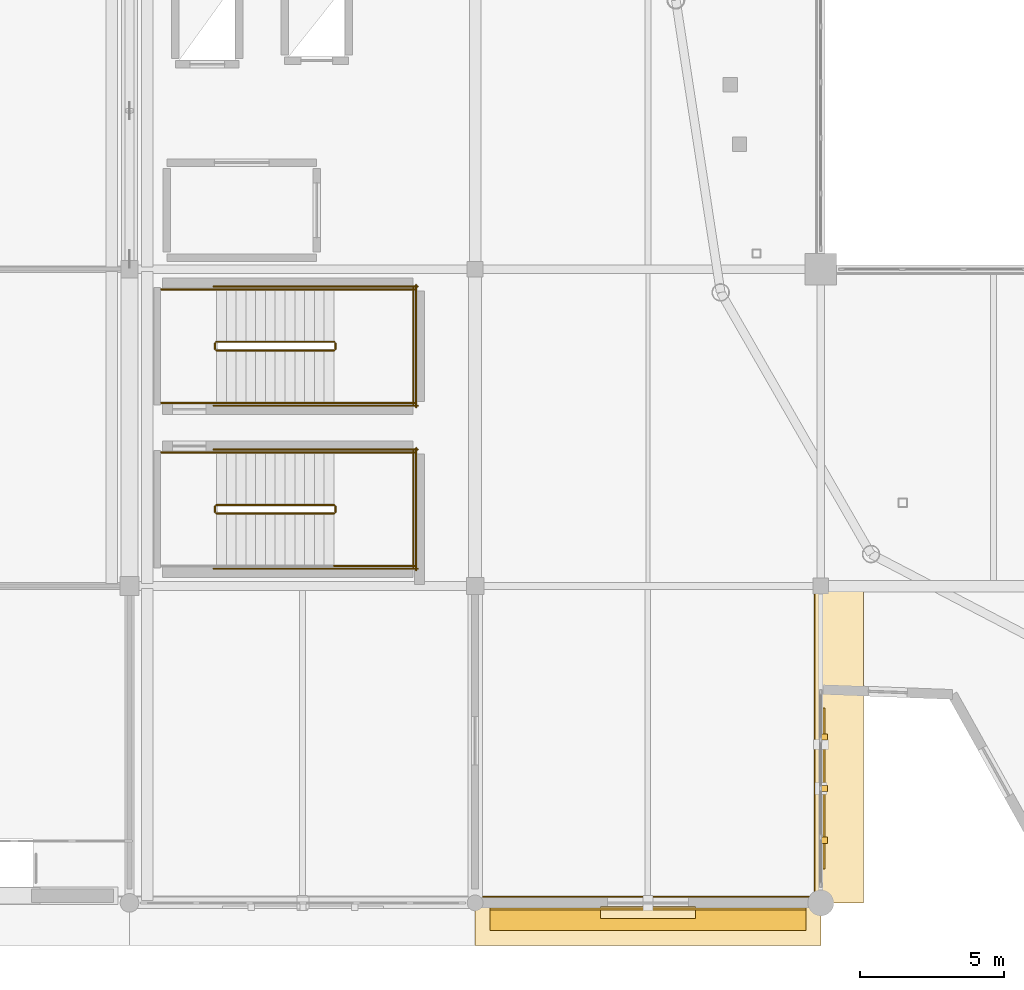
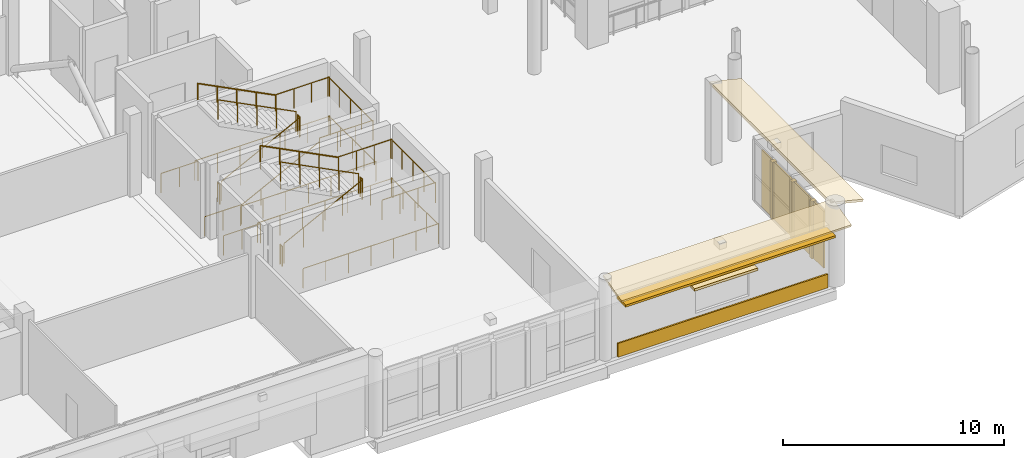
# One storey, part 98 of 118: 26 railings, 7 coverings, 2 shading devices.
"""IFC4 building model written with IfcOpenShell, lengths in metres."""

from ifc_helpers import new_model, si_unit, direction, frame, origin, origin_2d, place, context, subcontext, project, spatial, polyline, rectangle, circle, outline, extrude, material, layer, layer_set, type_object, element, save


model = new_model("IFC4")

# Units and contexts
model_context = context("Model", 3, precision=1e-05, world=origin(), true_north=direction((0.0, 1.0)))
body_context = subcontext(model_context, "Body", "Model", "MODEL_VIEW")
ifc_project = project(units=[si_unit("LENGTHUNIT", "METRE"), si_unit("AREAUNIT", "SQUARE_METRE"), si_unit("VOLUMEUNIT", "CUBIC_METRE"), si_unit("PLANEANGLEUNIT", "RADIAN"), si_unit("MASSUNIT", "GRAM", prefix="KILO")], contexts=[model_context])

# Site, building, storey
site_placement = place(None, origin())
site = spatial("IfcSite", under=ifc_project, at=site_placement, CompositionType="ELEMENT")
building_placement = place(site_placement, origin())
building = spatial("IfcBuilding", under=site, at=building_placement, Name="Luwafu Chhajja Arena", CompositionType="ELEMENT")
storey_placement = place(building_placement, frame((0.0, 0.0, 10.199951171875)))
storey = spatial("IfcBuildingStorey", under=building, at=storey_placement, Name="L02", CompositionType="ELEMENT", Elevation=10.199951171875)

# Coverings
ifc_material_1 = material(Name="Red laterite sandstone cladding", Category="masonry")
ifc_layer_1 = layer(ifc_material_1, 0.074951171875, Name="Red laterite sandstone cladding")
ifc_layer_set_1 = layer_set([ifc_layer_1], Name="Red laterite sandstone cladding")
covering_type = type_object("IfcCoveringType", Name="Dressed Red-Laterite Sandstone Cladding", PredefinedType="CLADDING", material=ifc_layer_set_1)
covering_1_placement = place(storey_placement, frame((46.0, 0.199951171875, 4.4599609375), z_axis=(0.0, -0.242502450825, 0.970150793096), x_axis=(1.0, 0.0, 0.0)))
element("IfcCovering", 1, at=covering_1_placement, inside=storey, type_object=covering_type, Name="L02 Continuous Sloped Sandstone Chhajja Eave 0152", PredefinedType="CLADDING", context=body_context, shape_type="SweptSolid", body=[
    extrude(outline(polyline([(0.0, 0.0), (12.0, 0.0), (12.0, -1.731619097341133), (0.0, -1.731619097341133), (0.0, 0.0)])), origin(), (0.0, 0.0, -1.0), 0.1298828125),
])
covering_2_placement = place(storey_placement, frame((52.0, -0.2119140625, 0.0), z_axis=(0.0, 0.0, 1.0), x_axis=(1.0, 0.0, 0.0)))
element("IfcCovering", 2, at=covering_2_placement, inside=storey, type_object=covering_type, Name="L02 Red-Laterite Sandstone Plinth Cladding 056", PredefinedType="CLADDING", context=body_context, shape_type="SweptSolid", body=[
    extrude(rectangle(XDim=10.9599609375, YDim=0.0849609375, at=origin_2d()), origin(), (0.0, 0.0, 1.0), 0.760009765625),
])
covering_3_placement = place(storey_placement, frame((52.0, -0.340087890625, 2.47998046875), z_axis=(0.0, 0.0, 1.0), x_axis=(1.0, 0.0, 0.0)))
element("IfcCovering", 3, at=covering_3_placement, inside=storey, type_object=covering_type, Name="L02 Mughal Sandstone Window Chhajja Hood 0054", PredefinedType="CLADDING", context=body_context, shape_type="SweptSolid", body=[
    extrude(rectangle(XDim=3.300048828125, YDim=0.419921875, at=origin_2d()), origin(), (0.0, 0.0, 1.0), 0.139892578125),
])
covering_4_placement = place(storey_placement, frame((57.800048828125, 0.0, 4.4599609375), z_axis=(0.242502450825, 0.0, 0.970150793096), x_axis=(0.0, 1.0, 0.0)))
element("IfcCovering", 4, at=covering_4_placement, inside=storey, type_object=covering_type, Name="L02 Continuous Sloped Sandstone Chhajja Eave 0153", PredefinedType="CLADDING", context=body_context, shape_type="SweptSolid", body=[
    extrude(outline(polyline([(0.0, 0.0), (11.0, 0.0), (11.0, -1.731619097341133), (0.0, -1.731619097341133), (0.0, 0.0)])), origin(), (0.0, 0.0, -1.0), 0.1298828125),
])
for number, where, z_axis, x_axis, name in (
    (5, (58.110107421875, 2.177001953125, 0.0), (0.0, 0.0, 1.0), (0.0, 1.0, 0.0), "L02 Sandstone Jali Mullion Fin 037"),
    (6, (58.110107421875, 3.968994140625, 0.0), (0.0, 0.0, 1.0), (0.0, 1.0, 0.0), "L02 Sandstone Jali Mullion Fin 037"),
    (7, (58.110107421875, 5.760986328125, 0.0), (0.0, 0.0, 1.0), (0.0, 1.0, 0.0), "L02 Sandstone Jali Mullion Fin 037"),
):
    element("IfcCovering", number, at=place(storey_placement, frame(where, z_axis=z_axis, x_axis=x_axis)), inside=storey, type_object=covering_type, Name=name, PredefinedType="CLADDING", context=body_context, shape_type="SweptSolid", body=[
        extrude(rectangle(XDim=0.219970703125, YDim=0.239990234375, at=origin_2d()), origin(), (0.0, 0.0, 1.0), 3.155029296875),
    ])

# Shading devices
ifc_material_2 = material(Name="Pierced buff sandstone jali", Category="masonry")
ifc_layer_2 = layer(ifc_material_2, 0.080078125, Name="Pierced buff sandstone jali")
ifc_layer_set_2 = layer_set([ifc_layer_2], Name="Pierced buff sandstone jali")
shading_device_type_1 = type_object("IfcShadingDeviceType", Name="Pierced Buff-Sandstone Jali Screen", PredefinedType="JALOUSIE", material=ifc_layer_set_2)
shading_device_1_placement = place(storey_placement, frame((58.110107421875, 3.968994140625, 0.0), z_axis=(0.0, 0.0, 1.0), x_axis=(0.0, 1.0, 0.0)))
element("IfcShadingDevice", 8, at=shading_device_1_placement, inside=storey, type_object=shading_device_type_1, Name="L02 Pierced Buff-Sandstone Jali Screen 037", PredefinedType="JALOUSIE", context=body_context, shape_type="SweptSolid", body=[
    extrude(rectangle(XDim=5.60009765625, YDim=0.080078125, at=origin_2d()), origin(), (0.0, 0.0, 1.0), 3.155029296875),
])
ifc_material_3 = material(Name="Red laterite sandstone chhajja", Category="masonry")
ifc_layer_3 = layer(ifc_material_3, 0.1201171875, Name="Red laterite sandstone chhajja")
ifc_layer_set_3 = layer_set([ifc_layer_3], Name="Red laterite sandstone chhajja")
shading_device_type_2 = type_object("IfcShadingDeviceType", Name="Sloped Red-Sandstone Chhajja Eave", PredefinedType="USERDEFINED", material=ifc_layer_set_3)
shading_device_2_placement = place(storey_placement, frame((52.0, -0.5400390625, 3.18505859375), z_axis=(0.0, 0.0, 1.0), x_axis=(1.0, 0.0, 0.0)))
element("IfcShadingDevice", 9, at=shading_device_2_placement, inside=storey, type_object=shading_device_type_2, Name="L02 Sloped Red-Sandstone Chhajja Eave 053", ObjectType="CHHAJJA", PredefinedType="USERDEFINED", context=body_context, shape_type="SweptSolid", body=[
    extrude(rectangle(XDim=10.9599609375, YDim=0.820068359375, at=origin_2d()), origin(), (0.0, 0.0, 1.0), 0.1201171875),
])

# Railings
ifc_material_4 = material(Name="Stainless steel handrail", Category="steel")
railing_type_1 = type_object("IfcRailingType", Name="Stair Pitch Wall Handrail 920", PredefinedType="HANDRAIL", material=ifc_material_4)
railing_1_placement = place(storey_placement, frame((41.10009765625, 15.639892578125, 2.423095703125)))
element("IfcRailing", 10, at=railing_1_placement, inside=storey, type_object=railing_type_1, Name="L02 ST-01 stair handrail 2", PredefinedType="HANDRAIL", context=body_context, shape_type="SweptSolid", body=[
    extrude(circle(Radius=0.02392578125, at=origin_2d()), frame((0.0, 0.0, 0.8759765625), z_axis=(-0.891183106714, 0.0, 0.453643770274), x_axis=(0.0, -1.0, 0.0)), (0.0, 0.0, 1.0), 4.578369140625),
    extrude(circle(Radius=0.02099609375, at=origin_2d()), origin(), (0.0, 0.0, 1.0), 0.851806640625),
    extrude(circle(Radius=0.02099609375, at=origin_2d()), frame((-1.02001953125, 0.0, 0.519287109375)), (0.0, 0.0, 1.0), 0.851806640625),
    extrude(circle(Radius=0.02099609375, at=origin_2d()), frame((-2.0400390625, 0.0, 1.03857421875)), (0.0, 0.0, 1.0), 0.851806640625),
    extrude(circle(Radius=0.02099609375, at=origin_2d()), frame((-3.06005859375, 0.0, 1.5576171875)), (0.0, 0.0, 1.0), 0.851806640625),
    extrude(circle(Radius=0.02099609375, at=origin_2d()), frame((-4.080078125, 0.0, 2.076904296875)), (0.0, 0.0, 1.0), 0.851806640625),
])
railing_2_placement = place(storey_placement, frame((37.02001953125, 17.360107421875, 0.173095703125)))
element("IfcRailing", 11, at=railing_2_placement, inside=storey, type_object=railing_type_1, Name="L02 ST-02 stair handrail 1", PredefinedType="HANDRAIL", context=body_context, shape_type="SweptSolid", body=[
    extrude(circle(Radius=0.02392578125, at=origin_2d()), frame((0.0, 0.0, 0.8759765625), z_axis=(0.891183106714, 0.0, 0.453643770274), x_axis=(0.0, 1.0, 0.0)), (0.0, 0.0, 1.0), 4.578369140625),
    extrude(circle(Radius=0.02099609375, at=origin_2d()), origin(), (0.0, 0.0, 1.0), 0.851806640625),
    extrude(circle(Radius=0.02099609375, at=origin_2d()), frame((1.02001953125, 0.0, 0.519287109375)), (0.0, 0.0, 1.0), 0.851806640625),
    extrude(circle(Radius=0.02099609375, at=origin_2d()), frame((2.0400390625, 0.0, 1.03857421875)), (0.0, 0.0, 1.0), 0.851806640625),
    extrude(circle(Radius=0.02099609375, at=origin_2d()), frame((3.06005859375, 0.0, 1.5576171875)), (0.0, 0.0, 1.0), 0.851806640625),
    extrude(circle(Radius=0.02099609375, at=origin_2d()), frame((4.080078125, 0.0, 2.076904296875)), (0.0, 0.0, 1.0), 0.851806640625),
])
railing_3_placement = place(storey_placement, frame((41.10009765625, 21.300048828125, 2.423095703125)))
element("IfcRailing", 12, at=railing_3_placement, inside=storey, type_object=railing_type_1, Name="L02 ST-02 stair handrail 2", PredefinedType="HANDRAIL", context=body_context, shape_type="SweptSolid", body=[
    extrude(circle(Radius=0.02392578125, at=origin_2d()), frame((0.0, 0.0, 0.8759765625), z_axis=(-0.891183106714, 0.0, 0.453643770274), x_axis=(0.0, -1.0, 0.0)), (0.0, 0.0, 1.0), 4.578369140625),
    extrude(circle(Radius=0.02099609375, at=origin_2d()), origin(), (0.0, 0.0, 1.0), 0.851806640625),
    extrude(circle(Radius=0.02099609375, at=origin_2d()), frame((-1.02001953125, 0.0, 0.519287109375)), (0.0, 0.0, 1.0), 0.851806640625),
    extrude(circle(Radius=0.02099609375, at=origin_2d()), frame((-2.0400390625, 0.0, 1.03857421875)), (0.0, 0.0, 1.0), 0.851806640625),
    extrude(circle(Radius=0.02099609375, at=origin_2d()), frame((-3.06005859375, 0.0, 1.5576171875)), (0.0, 0.0, 1.0), 0.851806640625),
    extrude(circle(Radius=0.02099609375, at=origin_2d()), frame((-4.080078125, 0.0, 2.076904296875)), (0.0, 0.0, 1.0), 0.851806640625),
])
ifc_material_5 = material(Name="Stainless steel balustrade", Category="steel")
railing_type_2 = type_object("IfcRailingType", Name="Stair and Terrace Guard Balustrade 1100", PredefinedType="BALUSTRADE", material=ifc_material_5)
railing_4_placement = place(storey_placement, frame((37.02001953125, 13.52001953125, 0.173095703125)))
element("IfcRailing", 13, at=railing_4_placement, inside=storey, type_object=railing_type_2, Name="L02 ST-01 stair guard 1", PredefinedType="BALUSTRADE", context=body_context, shape_type="SweptSolid", body=[
    extrude(circle(Radius=0.02392578125, at=origin_2d()), frame((0.0, 0.0, 1.076171875), z_axis=(0.891183106714, 0.0, 0.453643770274), x_axis=(0.0, 1.0, 0.0)), (0.0, 0.0, 1.0), 4.578369140625),
    extrude(circle(Radius=0.02099609375, at=origin_2d()), origin(), (0.0, 0.0, 1.0), 1.052001953125),
    extrude(circle(Radius=0.02099609375, at=origin_2d()), frame((1.02001953125, 0.0, 0.519287109375)), (0.0, 0.0, 1.0), 1.052001953125),
    extrude(circle(Radius=0.02099609375, at=origin_2d()), frame((2.0400390625, 0.0, 1.03857421875)), (0.0, 0.0, 1.0), 1.052001953125),
    extrude(circle(Radius=0.02099609375, at=origin_2d()), frame((3.06005859375, 0.0, 1.5576171875)), (0.0, 0.0, 1.0), 1.052001953125),
    extrude(circle(Radius=0.02099609375, at=origin_2d()), frame((4.080078125, 0.0, 2.076904296875)), (0.0, 0.0, 1.0), 1.052001953125),
])
railing_5_placement = place(storey_placement, frame((41.14990234375, 13.570068359375, 2.25)))
element("IfcRailing", 14, at=railing_5_placement, inside=storey, type_object=railing_type_2, Name="L02 ST-01 stair guard 2", PredefinedType="BALUSTRADE", context=body_context, shape_type="SweptSolid", body=[
    extrude(circle(Radius=0.02392578125, at=origin_2d()), frame((0.0, 0.0, 1.076171875), z_axis=(0.0, 1.0, 0.0), x_axis=(-1.0, 0.0, 0.0)), (0.0, 0.0, 1.0), 0.199951171875),
    extrude(circle(Radius=0.02099609375, at=origin_2d()), origin(), (0.0, 0.0, 1.0), 1.052001953125),
    extrude(circle(Radius=0.02099609375, at=origin_2d()), frame((0.0, 0.199951171875, 0.0)), (0.0, 0.0, 1.0), 1.052001953125),
])
for number, where, name in (
    (15, (41.10009765625, 11.699951171875, 2.25), "L02 ST-01 stair guard 3"),
    (16, (41.10009765625, 15.639892578125, 2.25), "L02 ST-01 stair guard 4"),
):
    element("IfcRailing", number, at=place(storey_placement, frame(where)), inside=storey, type_object=railing_type_2, Name=name, PredefinedType="BALUSTRADE", context=body_context, shape_type="SweptSolid", body=[
        extrude(circle(Radius=0.02392578125, at=origin_2d()), frame((0.0, 0.0, 1.076171875), z_axis=(1.0, 0.0, 0.0), x_axis=(0.0, 1.0, 0.0)), (0.0, 0.0, 1.0), 2.7998046875),
        extrude(circle(Radius=0.02099609375, at=origin_2d()), origin(), (0.0, 0.0, 1.0), 1.052001953125),
        extrude(circle(Radius=0.02099609375, at=origin_2d()), frame((0.933349609375, 0.0, 0.0)), (0.0, 0.0, 1.0), 1.052001953125),
        extrude(circle(Radius=0.02099609375, at=origin_2d()), frame((1.866455078125, 0.0, 0.0)), (0.0, 0.0, 1.0), 1.052001953125),
        extrude(circle(Radius=0.02099609375, at=origin_2d()), frame((2.7998046875, 0.0, 0.0)), (0.0, 0.0, 1.0), 1.052001953125),
    ])
railing_6_placement = place(storey_placement, frame((43.85009765625, 11.64990234375, 2.25)))
element("IfcRailing", 17, at=railing_6_placement, inside=storey, type_object=railing_type_2, Name="L02 ST-01 stair guard 5", PredefinedType="BALUSTRADE", context=body_context, shape_type="SweptSolid", body=[
    extrude(circle(Radius=0.02392578125, at=origin_2d()), frame((0.0, 0.0, 1.076171875), z_axis=(0.0, 1.0, 0.0), x_axis=(-1.0, 0.0, 0.0)), (0.0, 0.0, 1.0), 4.0400390625),
    extrude(circle(Radius=0.02099609375, at=origin_2d()), origin(), (0.0, 0.0, 1.0), 1.052001953125),
    extrude(circle(Radius=0.02099609375, at=origin_2d()), frame((0.0, 1.010009765625, 0.0)), (0.0, 0.0, 1.0), 1.052001953125),
    extrude(circle(Radius=0.02099609375, at=origin_2d()), frame((0.0, 2.02001953125, 0.0)), (0.0, 0.0, 1.0), 1.052001953125),
    extrude(circle(Radius=0.02099609375, at=origin_2d()), frame((0.0, 3.030029296875, 0.0)), (0.0, 0.0, 1.0), 1.052001953125),
    extrude(circle(Radius=0.02099609375, at=origin_2d()), frame((0.0, 4.0400390625, 0.0)), (0.0, 0.0, 1.0), 1.052001953125),
])
railing_7_placement = place(storey_placement, frame((41.10009765625, 13.820068359375, 2.423095703125)))
element("IfcRailing", 18, at=railing_7_placement, inside=storey, type_object=railing_type_2, Name="L02 ST-01 stair guard 6", PredefinedType="BALUSTRADE", context=body_context, shape_type="SweptSolid", body=[
    extrude(circle(Radius=0.02392578125, at=origin_2d()), frame((0.0, 0.0, 1.076171875), z_axis=(-0.891183106714, 0.0, 0.453643770274), x_axis=(0.0, -1.0, 0.0)), (0.0, 0.0, 1.0), 4.578369140625),
    extrude(circle(Radius=0.02099609375, at=origin_2d()), origin(), (0.0, 0.0, 1.0), 1.052001953125),
    extrude(circle(Radius=0.02099609375, at=origin_2d()), frame((-1.02001953125, 0.0, 0.519287109375)), (0.0, 0.0, 1.0), 1.052001953125),
    extrude(circle(Radius=0.02099609375, at=origin_2d()), frame((-2.0400390625, 0.0, 1.03857421875)), (0.0, 0.0, 1.0), 1.052001953125),
    extrude(circle(Radius=0.02099609375, at=origin_2d()), frame((-3.06005859375, 0.0, 1.5576171875)), (0.0, 0.0, 1.0), 1.052001953125),
    extrude(circle(Radius=0.02099609375, at=origin_2d()), frame((-4.080078125, 0.0, 2.076904296875)), (0.0, 0.0, 1.0), 1.052001953125),
])
railing_8_placement = place(storey_placement, frame((36.969970703125, 13.570068359375, 0.0)))
element("IfcRailing", 19, at=railing_8_placement, inside=storey, type_object=railing_type_2, Name="L02 ST-01 stair guard 7", PredefinedType="BALUSTRADE", context=body_context, shape_type="SweptSolid", body=[
    extrude(circle(Radius=0.02392578125, at=origin_2d()), frame((0.0, 0.0, 1.076171875), z_axis=(0.0, 1.0, 0.0), x_axis=(-1.0, 0.0, 0.0)), (0.0, 0.0, 1.0), 0.199951171875),
    extrude(circle(Radius=0.02099609375, at=origin_2d()), origin(), (0.0, 0.0, 1.0), 1.052001953125),
    extrude(circle(Radius=0.02099609375, at=origin_2d()), frame((0.0, 0.199951171875, 0.0)), (0.0, 0.0, 1.0), 1.052001953125),
])
railing_9_placement = place(storey_placement, frame((35.10009765625, 15.639892578125, 0.0)))
element("IfcRailing", 20, at=railing_9_placement, inside=storey, type_object=railing_type_2, Name="L02 ST-01 stair guard 9", PredefinedType="BALUSTRADE", context=body_context, shape_type="SweptSolid", body=[
    extrude(circle(Radius=0.02392578125, at=origin_2d()), frame((0.0, 0.0, 1.076171875), z_axis=(1.0, 0.0, 0.0), x_axis=(0.0, 1.0, 0.0)), (0.0, 0.0, 1.0), 1.919921875),
    extrude(circle(Radius=0.02099609375, at=origin_2d()), origin(), (0.0, 0.0, 1.0), 1.052001953125),
    extrude(circle(Radius=0.02099609375, at=origin_2d()), frame((0.9599609375, 0.0, 0.0)), (0.0, 0.0, 1.0), 1.052001953125),
    extrude(circle(Radius=0.02099609375, at=origin_2d()), frame((1.919921875, 0.0, 0.0)), (0.0, 0.0, 1.0), 1.052001953125),
])
for number, where, name in (
    (21, (36.919921875, 11.60009765625, 0.0), "L02 ST-01 stair guard 10"),
    (22, (36.919921875, 15.739990234375, 0.0), "L02 ST-01 stair guard 11"),
):
    element("IfcRailing", number, at=place(storey_placement, frame(where)), inside=storey, type_object=railing_type_2, Name=name, PredefinedType="BALUSTRADE", context=body_context, shape_type="SweptSolid", body=[
        extrude(circle(Radius=0.02392578125, at=origin_2d()), frame((0.0, 0.0, 1.076171875), z_axis=(1.0, 0.0, 0.0), x_axis=(0.0, 1.0, 0.0)), (0.0, 0.0, 1.0), 7.080078125),
        extrude(circle(Radius=0.02099609375, at=origin_2d()), origin(), (0.0, 0.0, 1.0), 1.052001953125),
        extrude(circle(Radius=0.02099609375, at=origin_2d()), frame((1.179931640625, 0.0, 0.0)), (0.0, 0.0, 1.0), 1.052001953125),
        extrude(circle(Radius=0.02099609375, at=origin_2d()), frame((2.360107421875, 0.0, 0.0)), (0.0, 0.0, 1.0), 1.052001953125),
        extrude(circle(Radius=0.02099609375, at=origin_2d()), frame((3.5400390625, 0.0, 0.0)), (0.0, 0.0, 1.0), 1.052001953125),
        extrude(circle(Radius=0.02099609375, at=origin_2d()), frame((4.719970703125, 0.0, 0.0)), (0.0, 0.0, 1.0), 1.052001953125),
        extrude(circle(Radius=0.02099609375, at=origin_2d()), frame((5.900146484375, 0.0, 0.0)), (0.0, 0.0, 1.0), 1.052001953125),
        extrude(circle(Radius=0.02099609375, at=origin_2d()), frame((7.080078125, 0.0, 0.0)), (0.0, 0.0, 1.0), 1.052001953125),
    ])
railing_10_placement = place(storey_placement, frame((43.949951171875, 11.550048828125, 0.0)))
element("IfcRailing", 23, at=railing_10_placement, inside=storey, type_object=railing_type_2, Name="L02 ST-01 stair guard 12", PredefinedType="BALUSTRADE", context=body_context, shape_type="SweptSolid", body=[
    extrude(circle(Radius=0.02392578125, at=origin_2d()), frame((0.0, 0.0, 1.076171875), z_axis=(0.0, 1.0, 0.0), x_axis=(-1.0, 0.0, 0.0)), (0.0, 0.0, 1.0), 4.239990234375),
    extrude(circle(Radius=0.02099609375, at=origin_2d()), origin(), (0.0, 0.0, 1.0), 1.052001953125),
    extrude(circle(Radius=0.02099609375, at=origin_2d()), frame((0.0, 1.06005859375, 0.0)), (0.0, 0.0, 1.0), 1.052001953125),
    extrude(circle(Radius=0.02099609375, at=origin_2d()), frame((0.0, 2.1201171875, 0.0)), (0.0, 0.0, 1.0), 1.052001953125),
    extrude(circle(Radius=0.02099609375, at=origin_2d()), frame((0.0, 3.179931640625, 0.0)), (0.0, 0.0, 1.0), 1.052001953125),
    extrude(circle(Radius=0.02099609375, at=origin_2d()), frame((0.0, 4.239990234375, 0.0)), (0.0, 0.0, 1.0), 1.052001953125),
])
railing_11_placement = place(storey_placement, frame((37.02001953125, 19.179931640625, 0.173095703125)))
element("IfcRailing", 24, at=railing_11_placement, inside=storey, type_object=railing_type_2, Name="L02 ST-02 stair guard 1", PredefinedType="BALUSTRADE", context=body_context, shape_type="SweptSolid", body=[
    extrude(circle(Radius=0.02392578125, at=origin_2d()), frame((0.0, 0.0, 1.076171875), z_axis=(0.891183106714, 0.0, 0.453643770274), x_axis=(0.0, 1.0, 0.0)), (0.0, 0.0, 1.0), 4.578369140625),
    extrude(circle(Radius=0.02099609375, at=origin_2d()), origin(), (0.0, 0.0, 1.0), 1.052001953125),
    extrude(circle(Radius=0.02099609375, at=origin_2d()), frame((1.02001953125, 0.0, 0.519287109375)), (0.0, 0.0, 1.0), 1.052001953125),
    extrude(circle(Radius=0.02099609375, at=origin_2d()), frame((2.0400390625, 0.0, 1.03857421875)), (0.0, 0.0, 1.0), 1.052001953125),
    extrude(circle(Radius=0.02099609375, at=origin_2d()), frame((3.06005859375, 0.0, 1.5576171875)), (0.0, 0.0, 1.0), 1.052001953125),
    extrude(circle(Radius=0.02099609375, at=origin_2d()), frame((4.080078125, 0.0, 2.076904296875)), (0.0, 0.0, 1.0), 1.052001953125),
])
railing_12_placement = place(storey_placement, frame((41.14990234375, 19.22998046875, 2.25)))
element("IfcRailing", 25, at=railing_12_placement, inside=storey, type_object=railing_type_2, Name="L02 ST-02 stair guard 2", PredefinedType="BALUSTRADE", context=body_context, shape_type="SweptSolid", body=[
    extrude(circle(Radius=0.02392578125, at=origin_2d()), frame((0.0, 0.0, 1.076171875), z_axis=(0.0, 1.0, 0.0), x_axis=(-1.0, 0.0, 0.0)), (0.0, 0.0, 1.0), 0.199951171875),
    extrude(circle(Radius=0.02099609375, at=origin_2d()), origin(), (0.0, 0.0, 1.0), 1.052001953125),
    extrude(circle(Radius=0.02099609375, at=origin_2d()), frame((0.0, 0.199951171875, 0.0)), (0.0, 0.0, 1.0), 1.052001953125),
])
for number, where, name in (
    (26, (41.10009765625, 17.360107421875, 2.25), "L02 ST-02 stair guard 3"),
    (27, (41.10009765625, 21.300048828125, 2.25), "L02 ST-02 stair guard 4"),
):
    element("IfcRailing", number, at=place(storey_placement, frame(where)), inside=storey, type_object=railing_type_2, Name=name, PredefinedType="BALUSTRADE", context=body_context, shape_type="SweptSolid", body=[
        extrude(circle(Radius=0.02392578125, at=origin_2d()), frame((0.0, 0.0, 1.076171875), z_axis=(1.0, 0.0, 0.0), x_axis=(0.0, 1.0, 0.0)), (0.0, 0.0, 1.0), 2.7998046875),
        extrude(circle(Radius=0.02099609375, at=origin_2d()), origin(), (0.0, 0.0, 1.0), 1.052001953125),
        extrude(circle(Radius=0.02099609375, at=origin_2d()), frame((0.933349609375, 0.0, 0.0)), (0.0, 0.0, 1.0), 1.052001953125),
        extrude(circle(Radius=0.02099609375, at=origin_2d()), frame((1.866455078125, 0.0, 0.0)), (0.0, 0.0, 1.0), 1.052001953125),
        extrude(circle(Radius=0.02099609375, at=origin_2d()), frame((2.7998046875, 0.0, 0.0)), (0.0, 0.0, 1.0), 1.052001953125),
    ])
railing_13_placement = place(storey_placement, frame((43.85009765625, 17.31005859375, 2.25)))
element("IfcRailing", 28, at=railing_13_placement, inside=storey, type_object=railing_type_2, Name="L02 ST-02 stair guard 5", PredefinedType="BALUSTRADE", context=body_context, shape_type="SweptSolid", body=[
    extrude(circle(Radius=0.02392578125, at=origin_2d()), frame((0.0, 0.0, 1.076171875), z_axis=(0.0, 1.0, 0.0), x_axis=(-1.0, 0.0, 0.0)), (0.0, 0.0, 1.0), 4.0400390625),
    extrude(circle(Radius=0.02099609375, at=origin_2d()), origin(), (0.0, 0.0, 1.0), 1.052001953125),
    extrude(circle(Radius=0.02099609375, at=origin_2d()), frame((0.0, 1.010009765625, 0.0)), (0.0, 0.0, 1.0), 1.052001953125),
    extrude(circle(Radius=0.02099609375, at=origin_2d()), frame((0.0, 2.02001953125, 0.0)), (0.0, 0.0, 1.0), 1.052001953125),
    extrude(circle(Radius=0.02099609375, at=origin_2d()), frame((0.0, 3.030029296875, 0.0)), (0.0, 0.0, 1.0), 1.052001953125),
    extrude(circle(Radius=0.02099609375, at=origin_2d()), frame((0.0, 4.0400390625, 0.0)), (0.0, 0.0, 1.0), 1.052001953125),
])
railing_14_placement = place(storey_placement, frame((41.10009765625, 19.47998046875, 2.423095703125)))
element("IfcRailing", 29, at=railing_14_placement, inside=storey, type_object=railing_type_2, Name="L02 ST-02 stair guard 6", PredefinedType="BALUSTRADE", context=body_context, shape_type="SweptSolid", body=[
    extrude(circle(Radius=0.02392578125, at=origin_2d()), frame((0.0, 0.0, 1.076171875), z_axis=(-0.891183106714, 0.0, 0.453643770274), x_axis=(0.0, -1.0, 0.0)), (0.0, 0.0, 1.0), 4.578369140625),
    extrude(circle(Radius=0.02099609375, at=origin_2d()), origin(), (0.0, 0.0, 1.0), 1.052001953125),
    extrude(circle(Radius=0.02099609375, at=origin_2d()), frame((-1.02001953125, 0.0, 0.519287109375)), (0.0, 0.0, 1.0), 1.052001953125),
    extrude(circle(Radius=0.02099609375, at=origin_2d()), frame((-2.0400390625, 0.0, 1.03857421875)), (0.0, 0.0, 1.0), 1.052001953125),
    extrude(circle(Radius=0.02099609375, at=origin_2d()), frame((-3.06005859375, 0.0, 1.5576171875)), (0.0, 0.0, 1.0), 1.052001953125),
    extrude(circle(Radius=0.02099609375, at=origin_2d()), frame((-4.080078125, 0.0, 2.076904296875)), (0.0, 0.0, 1.0), 1.052001953125),
])
railing_15_placement = place(storey_placement, frame((36.969970703125, 19.22998046875, 0.0)))
element("IfcRailing", 30, at=railing_15_placement, inside=storey, type_object=railing_type_2, Name="L02 ST-02 stair guard 7", PredefinedType="BALUSTRADE", context=body_context, shape_type="SweptSolid", body=[
    extrude(circle(Radius=0.02392578125, at=origin_2d()), frame((0.0, 0.0, 1.076171875), z_axis=(0.0, 1.0, 0.0), x_axis=(-1.0, 0.0, 0.0)), (0.0, 0.0, 1.0), 0.199951171875),
    extrude(circle(Radius=0.02099609375, at=origin_2d()), origin(), (0.0, 0.0, 1.0), 1.052001953125),
    extrude(circle(Radius=0.02099609375, at=origin_2d()), frame((0.0, 0.199951171875, 0.0)), (0.0, 0.0, 1.0), 1.052001953125),
])
for number, where, name in (
    (31, (35.10009765625, 17.360107421875, 0.0), "L02 ST-02 stair guard 8"),
    (32, (35.10009765625, 21.300048828125, 0.0), "L02 ST-02 stair guard 9"),
):
    element("IfcRailing", number, at=place(storey_placement, frame(where)), inside=storey, type_object=railing_type_2, Name=name, PredefinedType="BALUSTRADE", context=body_context, shape_type="SweptSolid", body=[
        extrude(circle(Radius=0.02392578125, at=origin_2d()), frame((0.0, 0.0, 1.076171875), z_axis=(1.0, 0.0, 0.0), x_axis=(0.0, 1.0, 0.0)), (0.0, 0.0, 1.0), 1.919921875),
        extrude(circle(Radius=0.02099609375, at=origin_2d()), origin(), (0.0, 0.0, 1.0), 1.052001953125),
        extrude(circle(Radius=0.02099609375, at=origin_2d()), frame((0.9599609375, 0.0, 0.0)), (0.0, 0.0, 1.0), 1.052001953125),
        extrude(circle(Radius=0.02099609375, at=origin_2d()), frame((1.919921875, 0.0, 0.0)), (0.0, 0.0, 1.0), 1.052001953125),
    ])
for number, where, name in (
    (33, (36.919921875, 17.260009765625, 0.0), "L02 ST-02 stair guard 10"),
    (34, (36.919921875, 21.39990234375, 0.0), "L02 ST-02 stair guard 11"),
):
    element("IfcRailing", number, at=place(storey_placement, frame(where)), inside=storey, type_object=railing_type_2, Name=name, PredefinedType="BALUSTRADE", context=body_context, shape_type="SweptSolid", body=[
        extrude(circle(Radius=0.02392578125, at=origin_2d()), frame((0.0, 0.0, 1.076171875), z_axis=(1.0, 0.0, 0.0), x_axis=(0.0, 1.0, 0.0)), (0.0, 0.0, 1.0), 7.080078125),
        extrude(circle(Radius=0.02099609375, at=origin_2d()), origin(), (0.0, 0.0, 1.0), 1.052001953125),
        extrude(circle(Radius=0.02099609375, at=origin_2d()), frame((1.179931640625, 0.0, 0.0)), (0.0, 0.0, 1.0), 1.052001953125),
        extrude(circle(Radius=0.02099609375, at=origin_2d()), frame((2.360107421875, 0.0, 0.0)), (0.0, 0.0, 1.0), 1.052001953125),
        extrude(circle(Radius=0.02099609375, at=origin_2d()), frame((3.5400390625, 0.0, 0.0)), (0.0, 0.0, 1.0), 1.052001953125),
        extrude(circle(Radius=0.02099609375, at=origin_2d()), frame((4.719970703125, 0.0, 0.0)), (0.0, 0.0, 1.0), 1.052001953125),
        extrude(circle(Radius=0.02099609375, at=origin_2d()), frame((5.900146484375, 0.0, 0.0)), (0.0, 0.0, 1.0), 1.052001953125),
        extrude(circle(Radius=0.02099609375, at=origin_2d()), frame((7.080078125, 0.0, 0.0)), (0.0, 0.0, 1.0), 1.052001953125),
    ])
railing_16_placement = place(storey_placement, frame((43.949951171875, 17.2099609375, 0.0)))
element("IfcRailing", 35, at=railing_16_placement, inside=storey, type_object=railing_type_2, Name="L02 ST-02 stair guard 12", PredefinedType="BALUSTRADE", context=body_context, shape_type="SweptSolid", body=[
    extrude(circle(Radius=0.02392578125, at=origin_2d()), frame((0.0, 0.0, 1.076171875), z_axis=(0.0, 1.0, 0.0), x_axis=(-1.0, 0.0, 0.0)), (0.0, 0.0, 1.0), 4.239990234375),
    extrude(circle(Radius=0.02099609375, at=origin_2d()), origin(), (0.0, 0.0, 1.0), 1.052001953125),
    extrude(circle(Radius=0.02099609375, at=origin_2d()), frame((0.0, 1.06005859375, 0.0)), (0.0, 0.0, 1.0), 1.052001953125),
    extrude(circle(Radius=0.02099609375, at=origin_2d()), frame((0.0, 2.1201171875, 0.0)), (0.0, 0.0, 1.0), 1.052001953125),
    extrude(circle(Radius=0.02099609375, at=origin_2d()), frame((0.0, 3.179931640625, 0.0)), (0.0, 0.0, 1.0), 1.052001953125),
    extrude(circle(Radius=0.02099609375, at=origin_2d()), frame((0.0, 4.239990234375, 0.0)), (0.0, 0.0, 1.0), 1.052001953125),
])

save(model, "model.ifc")
